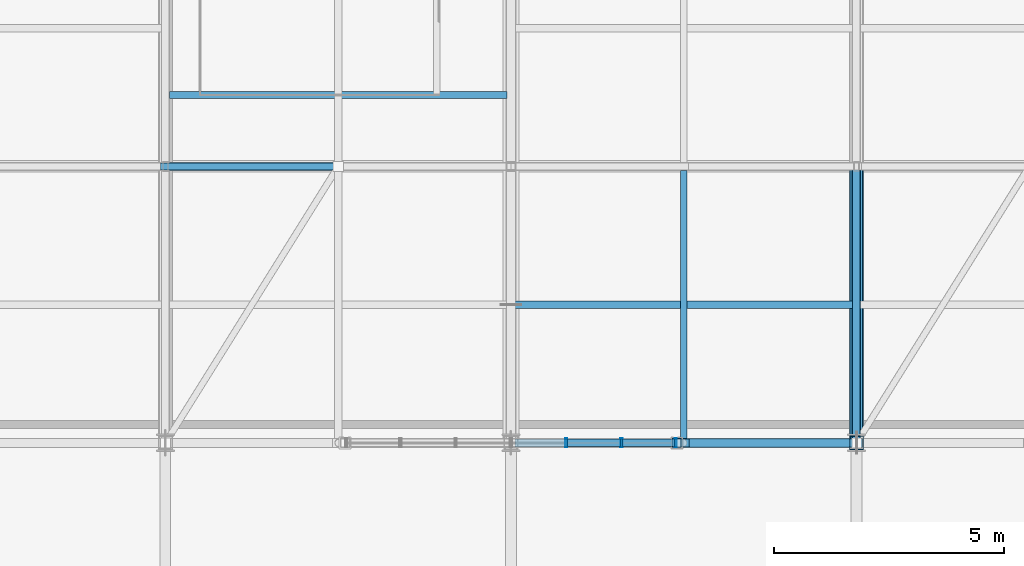
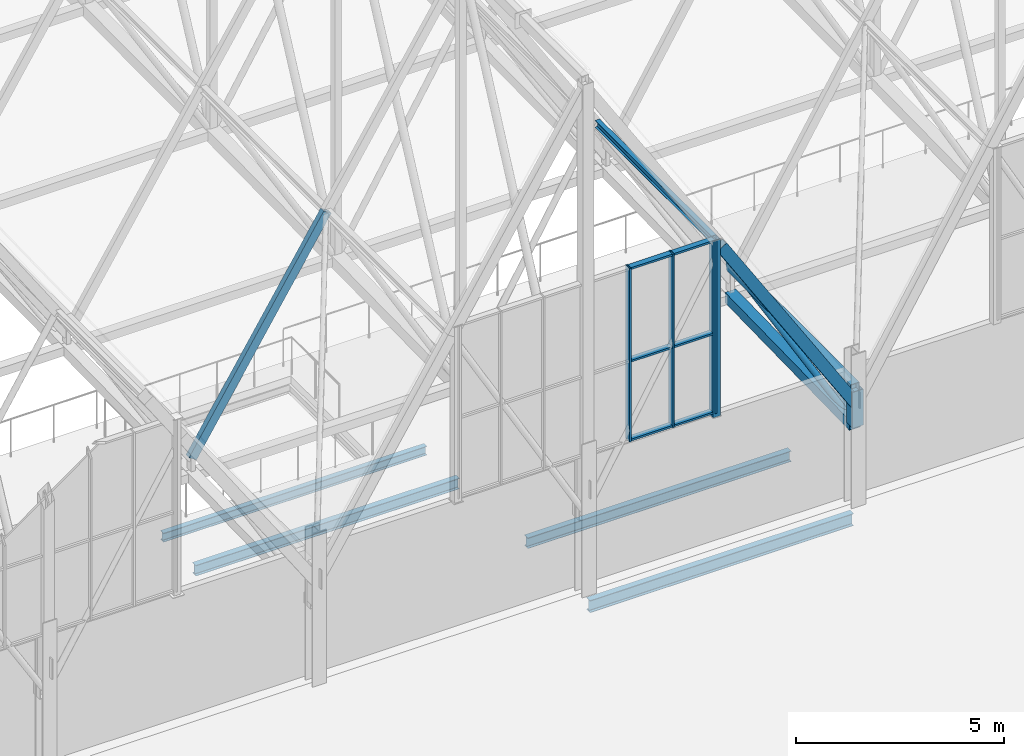
# One storey, part 89 of 324: 16 members, 5 beams, 1 element without a shape of its own.
"""IFC4 building model written with IfcOpenShell, lengths in metres."""

import ifcopenshell
import ifcopenshell.guid

model = None  # the IFC model being written
_history = None  # IfcOwnerHistory: only IFC2X3 demands one
_inside = {}  # id of a spatial element -> (the spatial element, [elements in it])
_under = {}  # id of a project, library or spatial element -> (it, [spatial elements below it])
_declared = {}  # id of a project -> (the project, [libraries it declares])
_typed = {}  # id of a type object -> (the type object, [elements of that type])
_made_of = {}  # id of a material, layer set ... -> (it, [elements and type objects made of it])


def new_model(schema):
    """Start an empty IFC model of exactly this schema.

    Asked for "IFC4X3", IfcOpenShell would pick the latest addendum, in which some entities
    have other attributes; the version numbers below select the first issue.
    IFC2X3 requires an IfcOwnerHistory on every rooted entity: one is made here for all.
    """
    global model, _history
    if schema == "IFC4X3":
        model = ifcopenshell.file(schema_version=(4, 3, 0, 0))
    else:
        model = ifcopenshell.file(schema=schema)
    _inside.clear()
    _under.clear()
    _declared.clear()
    _typed.clear()
    _made_of.clear()
    _history = None
    if model.schema == "IFC2X3":
        org = make("IfcOrganization", Name="unknown")
        user = make(
            "IfcPersonAndOrganization",
            ThePerson=make("IfcPerson", FamilyName="unknown"),
            TheOrganization=org,
        )
        app = make(
            "IfcApplication",
            ApplicationDeveloper=org,
            Version="unknown",
            ApplicationFullName="unknown",
            ApplicationIdentifier="unknown",
        )
        _history = make(
            "IfcOwnerHistory",
            OwningUser=user,
            OwningApplication=app,
            ChangeAction="ADDED",
            CreationDate=0,
        )
    return model


def make(cls, **values):
    """One entity of the class cls with the attributes given. An attribute that is None is left unset."""
    return model.create_entity(
        cls, **{name: value for name, value in values.items() if value is not None}
    )


def rooted(cls, **values):
    """An entity with a GlobalId (a new one), such as an element, a storey or a relation."""
    return make(cls, GlobalId=ifcopenshell.guid.new(), OwnerHistory=_history, **values)


def si_unit(unit_type, name, prefix=None):
    """IfcSIUnit, for example si_unit("LENGTHUNIT", "METRE", prefix="MILLI")."""
    return make("IfcSIUnit", UnitType=unit_type, Prefix=prefix, Name=name)


def assignment(units):
    """IfcUnitAssignment: the units of a project."""
    return None if units is None else make("IfcUnitAssignment", Units=units)


def point(xyz):
    """IfcCartesianPoint."""
    return None if xyz is None else make("IfcCartesianPoint", Coordinates=xyz)


def direction(xyz):
    """IfcDirection."""
    return None if xyz is None else make("IfcDirection", DirectionRatios=xyz)


def frame(location, z_axis=None, x_axis=None):
    """IfcAxis2Placement3D, a coordinate frame: its origin and axes. An axis left out is left unset."""
    return make(
        "IfcAxis2Placement3D",
        Location=point(location),
        Axis=direction(z_axis),
        RefDirection=direction(x_axis),
    )


def frame_2d(location, x_axis=None):
    """IfcAxis2Placement2D, a coordinate frame in the plane: its origin and x axis."""
    return make(
        "IfcAxis2Placement2D", Location=point(location), RefDirection=direction(x_axis)
    )


def origin():
    """The frame at (0, 0, 0) with its axes left unset."""
    return frame((0.0, 0.0, 0.0))


def origin_2d():
    """The frame at (0, 0) in the plane with its x axis left unset."""
    return frame_2d((0.0, 0.0))


def place(relative_to, where):
    """IfcLocalPlacement: puts the frame where relative to a parent placement (None: the world)."""
    return make(
        "IfcLocalPlacement", PlacementRelTo=relative_to, RelativePlacement=where
    )


def context(
    kind, dimensions, precision=None, world=None, true_north=None, identifier=None
):
    """IfcGeometricRepresentationContext, for example the 3D "Model" context."""
    return make(
        "IfcGeometricRepresentationContext",
        ContextIdentifier=identifier,
        ContextType=kind,
        CoordinateSpaceDimension=dimensions,
        Precision=precision,
        WorldCoordinateSystem=world,
        TrueNorth=true_north,
    )


def subcontext(parent, identifier, kind, view, scale=None):
    """IfcGeometricRepresentationSubContext, for example "Body" below "Model"."""
    return make(
        "IfcGeometricRepresentationSubContext",
        ContextIdentifier=identifier,
        ContextType=kind,
        ParentContext=parent,
        TargetScale=scale,
        TargetView=view,
    )


def project(units=None, contexts=None):
    """IfcProject with its units and contexts."""
    return rooted(
        "IfcProject",
        Name="project",
        RepresentationContexts=contexts,
        UnitsInContext=assignment(units),
    )


def spatial(cls, under=None, at=None, **own):
    """A site, building, storey or space (cls), placed at a placement, below another one or the project."""
    s = rooted(cls, ObjectPlacement=at, **own)
    if under is not None:
        _under.setdefault(under.id(), (under, []))[1].append(s)
    return s


def profile(cls, at=None, kind="AREA", **sizes):
    """A parametric profile (cls). Its sizes go by their IFC names, for example OverallWidth=200.0."""
    return make(cls, ProfileType=kind, Position=at, **sizes)


def hollow_rectangle(**sizes):
    """IfcRectangleHollowProfileDef."""
    return profile("IfcRectangleHollowProfileDef", **sizes)


def hollow_circle(**sizes):
    """IfcCircleHollowProfileDef."""
    return profile("IfcCircleHollowProfileDef", **sizes)


def i_section(**sizes):
    """IfcIShapeProfileDef."""
    return profile("IfcIShapeProfileDef", **sizes)


def extrude(swept, where, along, depth):
    """IfcExtrudedAreaSolid: the profile swept, set in the frame where, extruded along a direction by depth."""
    return make(
        "IfcExtrudedAreaSolid",
        SweptArea=swept,
        Position=where,
        ExtrudedDirection=direction(along),
        Depth=depth,
    )


def shape(context_of_items, identifier, shape_type, items):
    """IfcShapeRepresentation: the items that make up one representation, for example the "Body"."""
    return make(
        "IfcShapeRepresentation",
        ContextOfItems=context_of_items,
        RepresentationIdentifier=identifier,
        RepresentationType=shape_type,
        Items=items,
    )


def material(Name=None, Category=None):
    """IfcMaterial."""
    return make("IfcMaterial", Name=Name, Category=Category)


def layer(
    of_material, thickness, ventilated=None, Name=None, Category=None, Priority=None
):
    """IfcMaterialLayer: one layer of a wall or slab, of a material (None: an air gap)."""
    return make(
        "IfcMaterialLayer",
        Material=of_material,
        LayerThickness=thickness,
        IsVentilated=ventilated,
        Name=Name,
        Category=Category,
        Priority=Priority,
    )


def layer_set(layers, Name=None):
    """IfcMaterialLayerSet."""
    return make("IfcMaterialLayerSet", MaterialLayers=layers, LayerSetName=Name)


def material_profile(
    of_material, cross_section, Name=None, Category=None, Priority=None
):
    """IfcMaterialProfile: a cross section and its material."""
    return make(
        "IfcMaterialProfile",
        Name=Name,
        Material=of_material,
        Profile=cross_section,
        Priority=Priority,
        Category=Category,
    )


def profile_set(profiles, Name=None, composite=None):
    """IfcMaterialProfileSet."""
    return make(
        "IfcMaterialProfileSet",
        Name=Name,
        MaterialProfiles=profiles,
        CompositeProfile=composite,
    )


def made_of(thing, what):
    """Note that an element or type object is made of a material, layer set ...; save() writes the relation."""
    if what is not None:
        _made_of.setdefault(what.id(), (what, []))[1].append(thing)
    return thing


def type_object(cls, material=None, **own):
    """A type object (cls), such as IfcWallType, which elements share."""
    return made_of(rooted(cls, **own), material)


def element(
    cls,
    number,
    at=None,
    inside=None,
    cuts=None,
    type_object=None,
    material=None,
    context=None,
    identifier="Body",
    shape_type=None,
    held_by="IfcProductDefinitionShape",
    body=None,
    shapes=None,
    **own,
):
    """One element of the class cls, such as IfcWall. Its Tag is "e" and its number.

    at: its placement. inside: the storey or other place that contains it. cuts: it is an
    opening in that element (IfcRelVoidsElement). A single representation is given by context,
    identifier, shape_type and body (its items); several are given by shapes. held_by: the class
    of the entity that holds the representations. save() writes the other relations.
    """
    e = rooted(cls, Tag="e%d" % number, ObjectPlacement=at, **own)
    if body is not None:
        shapes = [shape(context, identifier, shape_type, body)]
    if shapes is not None:
        e.Representation = make(held_by, Representations=shapes)
    if inside is not None:
        _inside.setdefault(inside.id(), (inside, []))[1].append(e)
    if cuts is not None:
        rooted(
            "IfcRelVoidsElement", RelatingBuildingElement=cuts, RelatedOpeningElement=e
        )
    if type_object is not None:
        _typed.setdefault(type_object.id(), (type_object, []))[1].append(e)
    return made_of(e, material)


def aggregate(whole, parts):
    """IfcRelAggregates: a whole, such as a stair, and the parts it consists of."""
    return rooted("IfcRelAggregates", RelatingObject=whole, RelatedObjects=parts)


def save(model, path):
    """Write the relations noted so far, then the file.

    IfcRelAggregates (storeys below a building ...), IfcRelContainedInSpatialStructure (elements
    in a storey), IfcRelDefinesByType, IfcRelAssociatesMaterial and IfcRelDeclares: one each for
    every whole, place, type object, material and project.
    """
    for whole, parts in _under.values():
        aggregate(whole, parts)
    for where, things in _inside.values():
        rooted(
            "IfcRelContainedInSpatialStructure",
            RelatedElements=things,
            RelatingStructure=where,
        )
    for kind, things in _typed.values():
        rooted("IfcRelDefinesByType", RelatedObjects=things, RelatingType=kind)
    for what, things in _made_of.values():
        rooted("IfcRelAssociatesMaterial", RelatedObjects=things, RelatingMaterial=what)
    for by, libraries in _declared.values():
        rooted("IfcRelDeclares", RelatingContext=by, RelatedDefinitions=libraries)
    model.write(path)


model = new_model("IFC4")

# Units and contexts
model_context = context("Model", 3, precision=1e-05, world=origin(), true_north=direction((0.0, 1.0)))
body_context = subcontext(model_context, "Body", "Model", "MODEL_VIEW")
ifc_project = project(units=[si_unit("LENGTHUNIT", "METRE"), si_unit("AREAUNIT", "SQUARE_METRE"), si_unit("VOLUMEUNIT", "CUBIC_METRE"), si_unit("PLANEANGLEUNIT", "RADIAN"), si_unit("MASSUNIT", "GRAM", prefix="KILO")], contexts=[model_context])

# Site, building, storey
site_placement = place(None, origin())
site = spatial("IfcSite", under=ifc_project, at=site_placement, CompositionType="ELEMENT")
building_placement = place(site_placement, origin())
building = spatial("IfcBuilding", under=site, at=building_placement, Name="Solvenia Promenade Tram Depot", CompositionType="ELEMENT")
storey_placement = place(building_placement, frame((0.0, 0.0, 4.5)))
storey = spatial("IfcBuildingStorey", under=building, at=storey_placement, Name="L01", CompositionType="ELEMENT", Elevation=4.5)

# Curtain wall, members
ifc_material_1 = material(Name="Anodized aluminium AW-6063 T6", Category="aluminium")
ifc_layer = layer(ifc_material_1, 0.14990234375, Name="Anodized aluminium AW-6063 T6", Category="aluminium")
ifc_layer_set = layer_set([ifc_layer], Name="Anodized aluminium AW-6063 T6")
curtain_wall_type = type_object("IfcCurtainWallType", Name="CW-Gable-1200", PredefinedType="NOTDEFINED", material=ifc_layer_set)
curtain_wall_placement = place(storey_placement, origin())
curtain_wall = element("IfcCurtainWall", 1, at=curtain_wall_placement, inside=storey, type_object=curtain_wall_type, Name="South Zigzag Gable 02 Peak Glazing", PredefinedType="NOTDEFINED")
ifc_material_profile_1 = material_profile(ifc_material_1, hollow_rectangle(XDim=0.199951171875, YDim=0.048095703125, WallThickness=0.00390625, at=origin_2d()), Name="ALU-M3", Category="aluminium")
ifc_profile_set_1 = profile_set([ifc_material_profile_1], Name="Anodized aluminium AW-6063 T6")
member_type_1 = type_object("IfcMemberType", Name="CWM-Mullion-3", PredefinedType="MULLION", material=ifc_profile_set_1)
member_1_placement = place(storey_placement, frame((23.699951171875, 66.0, 4.050048828125), z_axis=(0.0, 0.0, 1.0), x_axis=(0.0, 1.0, 0.0)))
member_1 = element("IfcMember", 2, at=member_1_placement, type_object=member_type_1, Name="CW-3 mullion 5", PredefinedType="MULLION", context=body_context, shape_type="SweptSolid", body=[
    extrude(hollow_rectangle(XDim=0.199951171875, YDim=0.048095703125, WallThickness=0.00390625, at=origin_2d()), origin(), (0.0, 0.0, 1.0), 5.099853515625),
])
member_2_placement = place(storey_placement, frame((24.89990234375, 66.0, 4.050048828125), z_axis=(0.0, 0.0, 1.0), x_axis=(0.0, 1.0, 0.0)))
member_2 = element("IfcMember", 3, at=member_2_placement, type_object=member_type_1, Name="CW-3 mullion 6", PredefinedType="MULLION", context=body_context, shape_type="SweptSolid", body=[
    extrude(hollow_rectangle(XDim=0.199951171875, YDim=0.048095703125, WallThickness=0.00390625, at=origin_2d()), origin(), (0.0, 0.0, 1.0), 5.099853515625),
])
member_3_placement = place(storey_placement, frame((26.075927734375, 66.0, 4.050048828125), z_axis=(0.0, 0.0, 1.0), x_axis=(0.0, 1.0, 0.0)))
member_3 = element("IfcMember", 4, at=member_3_placement, type_object=member_type_1, Name="CW-3 mullion 7", PredefinedType="MULLION", context=body_context, shape_type="SweptSolid", body=[
    extrude(hollow_rectangle(XDim=0.199951171875, YDim=0.048095703125, WallThickness=0.00390625, at=origin_2d()), origin(), (0.0, 0.0, 1.0), 5.099853515625),
])
ifc_material_profile_2 = material_profile(ifc_material_1, hollow_rectangle(XDim=0.159912109375, YDim=0.05810546875, WallThickness=0.00390625, at=origin_2d()), Name="ALU-T3", Category="aluminium")
ifc_profile_set_2 = profile_set([ifc_material_profile_2], Name="Anodized aluminium AW-6063 T6")
member_type_2 = type_object("IfcMemberType", Name="CWT-Transom-3", PredefinedType="USERDEFINED", material=ifc_profile_set_2)
member_4_placement = place(storey_placement, frame((23.72412109375, 66.0, 4.0791015625), z_axis=(1.0, 0.0, 0.0), x_axis=(0.0, 1.0, 0.0)))
member_4 = element("IfcMember", 5, at=member_4_placement, type_object=member_type_2, Name="CW-3 transom 5.1", ObjectType="TRANSOM", PredefinedType="USERDEFINED", context=body_context, shape_type="SweptSolid", body=[
    extrude(hollow_rectangle(XDim=0.159912109375, YDim=0.05810546875, WallThickness=0.00390625, at=origin_2d()), origin(), (0.0, 0.0, 1.0), 1.15185546875),
])
member_5_placement = place(storey_placement, frame((23.72412109375, 66.0, 6.39990234375), z_axis=(1.0, 0.0, 0.0), x_axis=(0.0, 1.0, 0.0)))
member_5 = element("IfcMember", 6, at=member_5_placement, type_object=member_type_2, Name="CW-3 transom 5.2", ObjectType="TRANSOM", PredefinedType="USERDEFINED", context=body_context, shape_type="SweptSolid", body=[
    extrude(hollow_rectangle(XDim=0.159912109375, YDim=0.05810546875, WallThickness=0.00390625, at=origin_2d()), origin(), (0.0, 0.0, 1.0), 1.15185546875),
])
member_6_placement = place(storey_placement, frame((23.72412109375, 66.0, 9.12109375), z_axis=(1.0, 0.0, 0.0), x_axis=(0.0, 1.0, 0.0)))
member_6 = element("IfcMember", 7, at=member_6_placement, type_object=member_type_2, Name="CW-3 transom 5.3", ObjectType="TRANSOM", PredefinedType="USERDEFINED", context=body_context, shape_type="SweptSolid", body=[
    extrude(hollow_rectangle(XDim=0.159912109375, YDim=0.05810546875, WallThickness=0.00390625, at=origin_2d()), origin(), (0.0, 0.0, 1.0), 1.15185546875),
])
member_7_placement = place(storey_placement, frame((24.924072265625, 66.0, 4.0791015625), z_axis=(1.0, 0.0, 0.0), x_axis=(0.0, 1.0, 0.0)))
member_7 = element("IfcMember", 8, at=member_7_placement, type_object=member_type_2, Name="CW-3 transom 6.1", ObjectType="TRANSOM", PredefinedType="USERDEFINED", context=body_context, shape_type="SweptSolid", body=[
    extrude(hollow_rectangle(XDim=0.159912109375, YDim=0.05810546875, WallThickness=0.00390625, at=origin_2d()), origin(), (0.0, 0.0, 1.0), 1.1279296875),
])
member_8_placement = place(storey_placement, frame((24.924072265625, 66.0, 6.39990234375), z_axis=(1.0, 0.0, 0.0), x_axis=(0.0, 1.0, 0.0)))
member_8 = element("IfcMember", 9, at=member_8_placement, type_object=member_type_2, Name="CW-3 transom 6.2", ObjectType="TRANSOM", PredefinedType="USERDEFINED", context=body_context, shape_type="SweptSolid", body=[
    extrude(hollow_rectangle(XDim=0.159912109375, YDim=0.05810546875, WallThickness=0.00390625, at=origin_2d()), origin(), (0.0, 0.0, 1.0), 1.1279296875),
])
member_9_placement = place(storey_placement, frame((24.924072265625, 66.0, 9.12109375), z_axis=(1.0, 0.0, 0.0), x_axis=(0.0, 1.0, 0.0)))
member_9 = element("IfcMember", 10, at=member_9_placement, type_object=member_type_2, Name="CW-3 transom 6.3", ObjectType="TRANSOM", PredefinedType="USERDEFINED", context=body_context, shape_type="SweptSolid", body=[
    extrude(hollow_rectangle(XDim=0.159912109375, YDim=0.05810546875, WallThickness=0.00390625, at=origin_2d()), origin(), (0.0, 0.0, 1.0), 1.1279296875),
])
aggregate(curtain_wall, [member_1, member_2, member_3, member_4, member_5, member_6, member_7, member_8, member_9])

# Members
ifc_material_2 = material(Name="Structural steel ASTM A500 Gr. C", Category="steel")
ifc_material_profile_3 = material_profile(ifc_material_2, hollow_rectangle(XDim=0.14990234375, YDim=0.25, WallThickness=0.010009765625, at=origin_2d()), Name="HSS250x150x10", Category="steel")
ifc_profile_set_3 = profile_set([ifc_material_profile_3], Name="Structural steel ASTM A500 Gr. C")
member_type_3 = type_object("IfcMemberType", Name="Chord-HSS250x150x10", PredefinedType="CHORD", material=ifc_profile_set_3)
member_10_placement = place(storey_placement, frame((15.0, 72.0, 2.942626953125), z_axis=(0.533506771487, 0.0, 0.845795793781), x_axis=(0.0, 1.0, 0.0)))
element("IfcMember", 11, at=member_10_placement, inside=storey, type_object=member_type_3, Name="Zigzag Gable 02 West Lower Rafter", PredefinedType="CHORD", context=body_context, shape_type="SweptSolid", body=[
    extrude(hollow_rectangle(XDim=0.14990234375, YDim=0.25, WallThickness=0.010009765625, at=origin_2d()), origin(), (0.0, 0.0, 1.0), 7.029052734375),
])
ifc_material_profile_4 = material_profile(ifc_material_2, hollow_rectangle(XDim=0.25, YDim=0.25, WallThickness=0.010009765625, at=origin_2d()), Name="HSS250x250x10", Category="steel")
ifc_profile_set_4 = profile_set([ifc_material_profile_4], Name="Structural steel ASTM A500 Gr. C")
member_type_4 = type_object("IfcMemberType", Name="Chord-HSS250x250x10", PredefinedType="CHORD", material=ifc_profile_set_4)
member_11_placement = place(storey_placement, frame((30.0, 66.0, 3.3798828125), z_axis=(0.0, 1.0, 0.0), x_axis=(-1.0, 0.0, 0.0)))
element("IfcMember", 12, at=member_11_placement, inside=storey, type_object=member_type_4, Name="Arched Truss T05 Upper Chord S01", PredefinedType="CHORD", context=body_context, shape_type="SweptSolid", body=[
    extrude(hollow_rectangle(XDim=0.25, YDim=0.25, WallThickness=0.010009765625, at=origin_2d()), origin(), (0.0, 0.0, 1.0), 6.0),
])
ifc_material_profile_5 = material_profile(ifc_material_2, hollow_rectangle(XDim=0.199951171875, YDim=0.300048828125, WallThickness=0.012451171875, at=origin_2d()), Name="HSS300x200x12.5", Category="steel")
ifc_profile_set_5 = profile_set([ifc_material_profile_5], Name="Structural steel ASTM A500 Gr. C")
member_type_5 = type_object("IfcMemberType", Name="Chord-HSS300x200x12", PredefinedType="CHORD", material=ifc_profile_set_5)
member_12_placement = place(storey_placement, frame((26.25, 66.0, 8.8876953125), z_axis=(0.533506771487, 0.0, -0.845795793781), x_axis=(0.0, 1.0, 0.0)))
element("IfcMember", 13, at=member_12_placement, inside=storey, type_object=member_type_5, Name="Zigzag Gable 02 East Lower Rafter", PredefinedType="CHORD", context=body_context, shape_type="SweptSolid", body=[
    extrude(hollow_rectangle(XDim=0.199951171875, YDim=0.300048828125, WallThickness=0.012451171875, at=origin_2d()), origin(), (0.0, 0.0, 1.0), 7.029052734375),
])
ifc_material_profile_6 = material_profile(ifc_material_2, hollow_rectangle(XDim=0.300048828125, YDim=0.300048828125, WallThickness=0.012451171875, at=origin_2d()), Name="HSS300x300x12.5", Category="steel")
ifc_profile_set_6 = profile_set([ifc_material_profile_6], Name="Structural steel ASTM A500 Gr. C")
member_type_6 = type_object("IfcMemberType", Name="Chord-HSS300x300x12", PredefinedType="CHORD", material=ifc_profile_set_6)
member_13_placement = place(storey_placement, frame((30.0, 66.0, 2.320068359375), z_axis=(0.0, 0.0, 1.0), x_axis=(1.0, 0.0, 0.0)))
element("IfcMember", 14, at=member_13_placement, inside=storey, type_object=member_type_6, Name="Arched Truss T05 S End Post", PredefinedType="CHORD", context=body_context, shape_type="SweptSolid", body=[
    extrude(hollow_rectangle(XDim=0.300048828125, YDim=0.300048828125, WallThickness=0.012451171875, at=origin_2d()), origin(), (0.0, 0.0, 1.0), 1.059814453125),
])
member_14_placement = place(storey_placement, frame((30.0, 66.0, 2.320068359375), z_axis=(0.0, 0.999779654873, 0.020991467363), x_axis=(-1.0, 0.0, 0.0)))
element("IfcMember", 15, at=member_14_placement, inside=storey, type_object=member_type_6, Name="Arched Truss T05 Bottom Chord S01", PredefinedType="CHORD", context=body_context, shape_type="SweptSolid", body=[
    extrude(hollow_rectangle(XDim=0.300048828125, YDim=0.300048828125, WallThickness=0.012451171875, at=origin_2d()), origin(), (0.0, 0.0, 1.0), 6.001220703125),
])

# Beams
ifc_material_3 = material(Name="Structural steel ASTM A992 Gr. 50", Category="steel")
ifc_material_profile_7 = material_profile(ifc_material_3, i_section(OverallWidth=0.14697265625, OverallDepth=0.261962890625, WebThickness=0.006591796875, FlangeThickness=0.01123046875, FilletRadius=0.010009765625, at=origin_2d()), Name="W250x39", Category="steel")
ifc_profile_set_7 = profile_set([ifc_material_profile_7], Name="Structural steel ASTM A992 Gr. 50")
beam_type_1 = type_object("IfcBeamType", Name="Joist-W250x39", PredefinedType="JOIST", material=ifc_profile_set_7)
beam_1_placement = place(storey_placement, frame((15.0849609375, 73.550048828125, -0.35107421875), z_axis=(1.0, 0.0, 0.0), x_axis=(0.0, 1.0, 0.0)))
element("IfcBeam", 16, at=beam_1_placement, inside=storey, type_object=beam_type_1, Name="Gallery Opening Stringer 1S BM-L01-0960", PredefinedType="JOIST", context=body_context, shape_type="SweptSolid", body=[
    extrude(i_section(OverallWidth=0.14697265625, OverallDepth=0.261962890625, WebThickness=0.006591796875, FlangeThickness=0.01123046875, FilletRadius=0.010009765625, at=origin_2d()), origin(), (0.0, 0.0, 1.0), 7.330078125),
])
ifc_material_profile_8 = material_profile(ifc_material_3, i_section(OverallWidth=0.166015625, OverallDepth=0.31298828125, WebThickness=0.006591796875, FlangeThickness=0.01123046875, FilletRadius=0.010009765625, at=origin_2d()), Name="W310x45", Category="steel")
ifc_profile_set_8 = profile_set([ifc_material_profile_8], Name="Structural steel ASTM A992 Gr. 50")
beam_type_2 = type_object("IfcBeamType", Name="Joist-W310x45", PredefinedType="JOIST", material=ifc_profile_set_8)
for number, where, z_axis, x_axis, name in (
    (17, (15.0849609375, 72.0, -0.37646484375), (1.0, 0.0, 0.0), (0.0, 1.0, 0.0), "Secondary Floor Joist BM-L01-0069"),
    (18, (22.5849609375, 69.0, -0.37646484375), (1.0, 0.0, 0.0), (0.0, 1.0, 0.0), "Secondary Floor Joist BM-L01-0070"),
):
    element("IfcBeam", number, at=place(storey_placement, frame(where, z_axis=z_axis, x_axis=x_axis)), inside=storey, type_object=beam_type_2, Name=name, PredefinedType="JOIST", context=body_context, shape_type="SweptSolid", body=[
        extrude(i_section(OverallWidth=0.166015625, OverallDepth=0.31298828125, WebThickness=0.006591796875, FlangeThickness=0.01123046875, FilletRadius=0.010009765625, at=origin_2d()), origin(), (0.0, 0.0, 1.0), 7.330078125),
    ])

# Member
ifc_material_profile_9 = material_profile(ifc_material_2, hollow_rectangle(XDim=0.199951171875, YDim=0.199951171875, WallThickness=0.010009765625, at=origin_2d()), Name="HSS200x200x10", Category="steel")
ifc_profile_set_9 = profile_set([ifc_material_profile_9], Name="Structural steel ASTM A500 Gr. C")
member_type_7 = type_object("IfcMemberType", Name="Post-HSS200x200x10", PredefinedType="POST", material=ifc_profile_set_9)
member_15_placement = place(storey_placement, frame((26.10009765625, 66.0, 3.949951171875), z_axis=(0.0, 0.0, 1.0), x_axis=(1.0, 0.0, 0.0)))
element("IfcMember", 19, at=member_15_placement, inside=storey, type_object=member_type_7, Name="Gable Curtain-Wall Steel Jamb Post 008", PredefinedType="POST", context=body_context, shape_type="SweptSolid", body=[
    extrude(hollow_rectangle(XDim=0.199951171875, YDim=0.199951171875, WallThickness=0.010009765625, at=origin_2d()), origin(), (0.0, 0.0, 1.0), 5.199951171875),
])

# Beams
ifc_material_profile_10 = material_profile(ifc_material_3, i_section(OverallWidth=0.133056640625, OverallDepth=0.20703125, WebThickness=0.005859375, FlangeThickness=0.00830078125, FilletRadius=0.009033203125, at=origin_2d()), Name="W200x27", Category="steel")
ifc_profile_set_10 = profile_set([ifc_material_profile_10], Name="Structural steel ASTM A992 Gr. 50")
beam_type_3 = type_object("IfcBeamType", Name="Purlin-W200x27", PredefinedType="USERDEFINED", material=ifc_profile_set_10)
beam_2_placement = place(storey_placement, frame((26.25, 66.0849609375, 8.8857421875), z_axis=(0.0, 1.0, 0.0), x_axis=(-1.0, 0.0, 0.0)))
element("IfcBeam", 20, at=beam_2_placement, inside=storey, type_object=beam_type_3, Name="Gable Roof Purlin E-0022", ObjectType="PURLIN", PredefinedType="USERDEFINED", context=body_context, shape_type="SweptSolid", body=[
    extrude(i_section(OverallWidth=0.133056640625, OverallDepth=0.20703125, WebThickness=0.005859375, FlangeThickness=0.00830078125, FilletRadius=0.009033203125, at=origin_2d()), origin(), (0.0, 0.0, 1.0), 5.830078125),
])
ifc_material_profile_11 = material_profile(ifc_material_3, i_section(OverallWidth=0.172119140625, OverallDepth=0.35791015625, WebThickness=0.0078125, FlangeThickness=0.01318359375, FilletRadius=0.010986328125, at=origin_2d()), Name="W360x57", Category="steel")
ifc_profile_set_11 = profile_set([ifc_material_profile_11], Name="Structural steel ASTM A992 Gr. 50")
beam_type_4 = type_object("IfcBeamType", Name="Spandrel-W360x57", PredefinedType="SPANDREL", material=ifc_profile_set_11)
beam_3_placement = place(storey_placement, frame((22.5849609375, 66.0, -0.4189453125), z_axis=(1.0, 0.0, 0.0), x_axis=(0.0, 1.0, 0.0)))
element("IfcBeam", 21, at=beam_3_placement, inside=storey, type_object=beam_type_4, Name="Perimeter Spandrel BM-L01-0004", PredefinedType="SPANDREL", context=body_context, shape_type="SweptSolid", body=[
    extrude(i_section(OverallWidth=0.172119140625, OverallDepth=0.35791015625, WebThickness=0.0078125, FlangeThickness=0.01318359375, FilletRadius=0.010986328125, at=origin_2d()), origin(), (0.0, 0.0, 1.0), 7.330078125),
])

# Member
ifc_material_profile_12 = material_profile(ifc_material_2, hollow_circle(Radius=0.084228515625, WallThickness=0.008056640625, at=origin_2d()), Name="CHS168.3x8", Category="steel")
ifc_profile_set_12 = profile_set([ifc_material_profile_12], Name="Structural steel ASTM A500 Gr. C")
member_type_8 = type_object("IfcMemberType", Name="WebDiag-CHS168x8", PredefinedType="BRACE", material=ifc_profile_set_12)
member_16_placement = place(storey_placement, frame((30.0, 66.0, 2.320068359375), z_axis=(0.0, 0.984755712458, 0.173943056143), x_axis=(-1.0, 0.0, 0.0)))
element("IfcMember", 22, at=member_16_placement, inside=storey, type_object=member_type_8, Name="Arched Truss T05 Web Diagonal S01", PredefinedType="BRACE", context=body_context, shape_type="SweptSolid", body=[
    extrude(hollow_circle(Radius=0.084228515625, WallThickness=0.008056640625, at=origin_2d()), origin(), (0.0, 0.0, 1.0), 6.0927734375),
])

save(model, "model.ifc")
